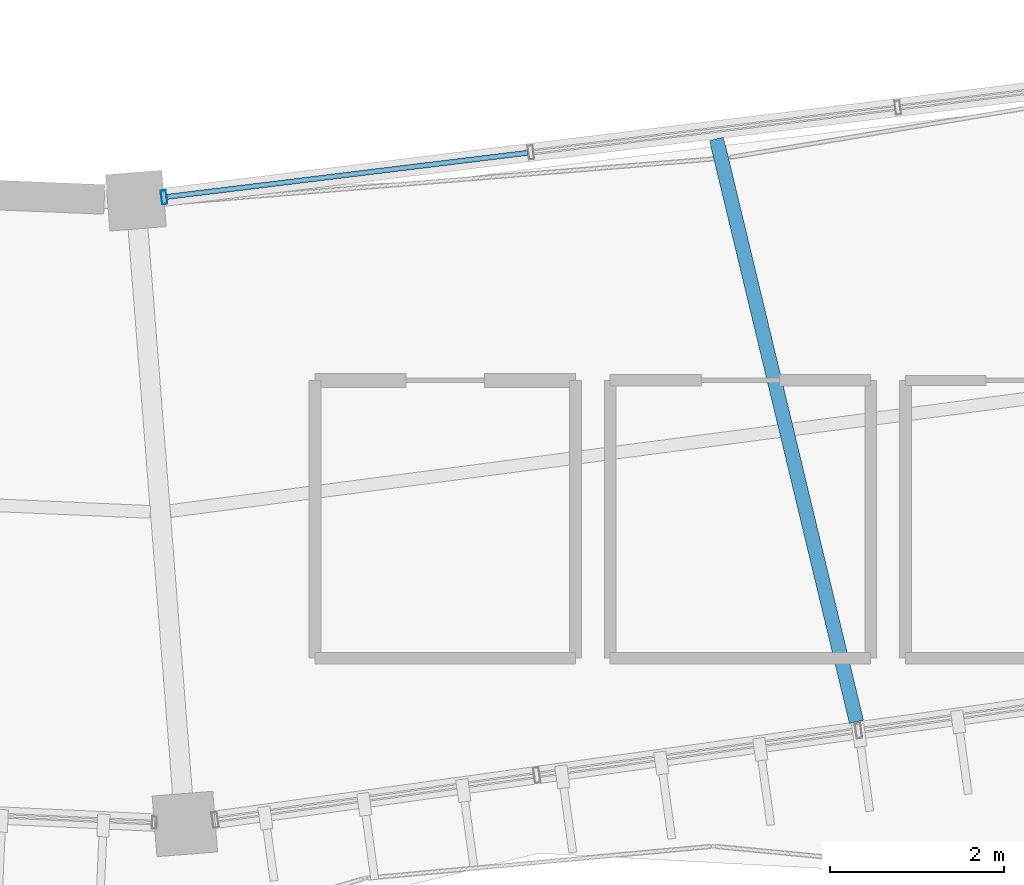
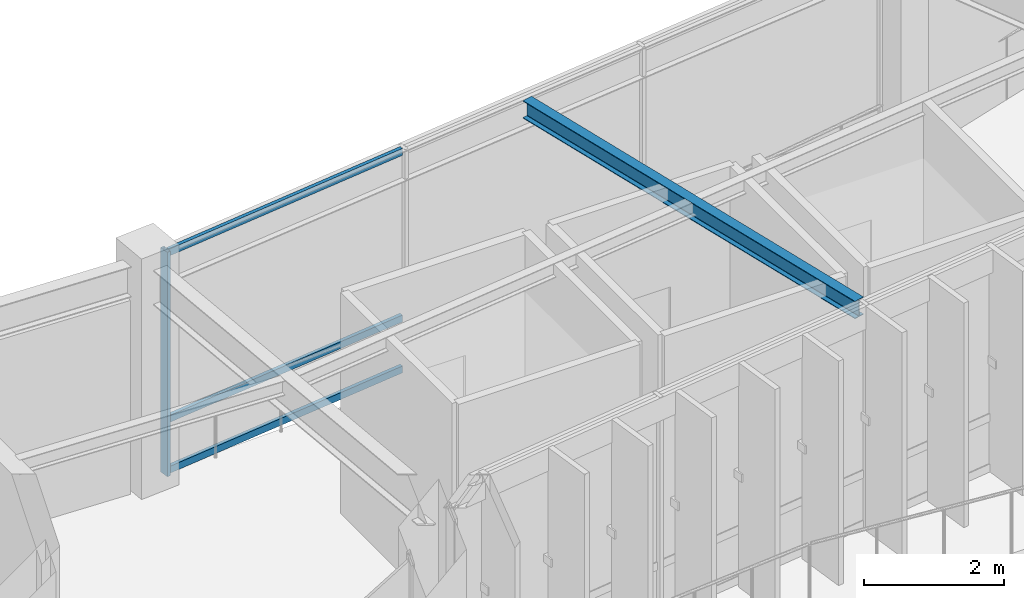
# One storey, part 51 of 138: 4 members, 1 beam, 1 element without a shape of its own.
"""IFC4 building model written with IfcOpenShell, lengths in metres."""

import ifcopenshell
import ifcopenshell.guid

model = None  # the IFC model being written
_history = None  # IfcOwnerHistory: only IFC2X3 demands one
_inside = {}  # id of a spatial element -> (the spatial element, [elements in it])
_under = {}  # id of a project, library or spatial element -> (it, [spatial elements below it])
_declared = {}  # id of a project -> (the project, [libraries it declares])
_typed = {}  # id of a type object -> (the type object, [elements of that type])
_made_of = {}  # id of a material, layer set ... -> (it, [elements and type objects made of it])


def new_model(schema):
    """Start an empty IFC model of exactly this schema.

    Asked for "IFC4X3", IfcOpenShell would pick the latest addendum, in which some entities
    have other attributes; the version numbers below select the first issue.
    IFC2X3 requires an IfcOwnerHistory on every rooted entity: one is made here for all.
    """
    global model, _history
    if schema == "IFC4X3":
        model = ifcopenshell.file(schema_version=(4, 3, 0, 0))
    else:
        model = ifcopenshell.file(schema=schema)
    _inside.clear()
    _under.clear()
    _declared.clear()
    _typed.clear()
    _made_of.clear()
    _history = None
    if model.schema == "IFC2X3":
        org = make("IfcOrganization", Name="unknown")
        user = make(
            "IfcPersonAndOrganization",
            ThePerson=make("IfcPerson", FamilyName="unknown"),
            TheOrganization=org,
        )
        app = make(
            "IfcApplication",
            ApplicationDeveloper=org,
            Version="unknown",
            ApplicationFullName="unknown",
            ApplicationIdentifier="unknown",
        )
        _history = make(
            "IfcOwnerHistory",
            OwningUser=user,
            OwningApplication=app,
            ChangeAction="ADDED",
            CreationDate=0,
        )
    return model


def make(cls, **values):
    """One entity of the class cls with the attributes given. An attribute that is None is left unset."""
    return model.create_entity(
        cls, **{name: value for name, value in values.items() if value is not None}
    )


def rooted(cls, **values):
    """An entity with a GlobalId (a new one), such as an element, a storey or a relation."""
    return make(cls, GlobalId=ifcopenshell.guid.new(), OwnerHistory=_history, **values)


def si_unit(unit_type, name, prefix=None):
    """IfcSIUnit, for example si_unit("LENGTHUNIT", "METRE", prefix="MILLI")."""
    return make("IfcSIUnit", UnitType=unit_type, Prefix=prefix, Name=name)


def assignment(units):
    """IfcUnitAssignment: the units of a project."""
    return None if units is None else make("IfcUnitAssignment", Units=units)


def point(xyz):
    """IfcCartesianPoint."""
    return None if xyz is None else make("IfcCartesianPoint", Coordinates=xyz)


def direction(xyz):
    """IfcDirection."""
    return None if xyz is None else make("IfcDirection", DirectionRatios=xyz)


def frame(location, z_axis=None, x_axis=None):
    """IfcAxis2Placement3D, a coordinate frame: its origin and axes. An axis left out is left unset."""
    return make(
        "IfcAxis2Placement3D",
        Location=point(location),
        Axis=direction(z_axis),
        RefDirection=direction(x_axis),
    )


def frame_2d(location, x_axis=None):
    """IfcAxis2Placement2D, a coordinate frame in the plane: its origin and x axis."""
    return make(
        "IfcAxis2Placement2D", Location=point(location), RefDirection=direction(x_axis)
    )


def origin():
    """The frame at (0, 0, 0) with its axes left unset."""
    return frame((0.0, 0.0, 0.0))


def origin_2d():
    """The frame at (0, 0) in the plane with its x axis left unset."""
    return frame_2d((0.0, 0.0))


def place(relative_to, where):
    """IfcLocalPlacement: puts the frame where relative to a parent placement (None: the world)."""
    return make(
        "IfcLocalPlacement", PlacementRelTo=relative_to, RelativePlacement=where
    )


def context(
    kind, dimensions, precision=None, world=None, true_north=None, identifier=None
):
    """IfcGeometricRepresentationContext, for example the 3D "Model" context."""
    return make(
        "IfcGeometricRepresentationContext",
        ContextIdentifier=identifier,
        ContextType=kind,
        CoordinateSpaceDimension=dimensions,
        Precision=precision,
        WorldCoordinateSystem=world,
        TrueNorth=true_north,
    )


def subcontext(parent, identifier, kind, view, scale=None):
    """IfcGeometricRepresentationSubContext, for example "Body" below "Model"."""
    return make(
        "IfcGeometricRepresentationSubContext",
        ContextIdentifier=identifier,
        ContextType=kind,
        ParentContext=parent,
        TargetScale=scale,
        TargetView=view,
    )


def project(units=None, contexts=None):
    """IfcProject with its units and contexts."""
    return rooted(
        "IfcProject",
        Name="project",
        RepresentationContexts=contexts,
        UnitsInContext=assignment(units),
    )


def spatial(cls, under=None, at=None, **own):
    """A site, building, storey or space (cls), placed at a placement, below another one or the project."""
    s = rooted(cls, ObjectPlacement=at, **own)
    if under is not None:
        _under.setdefault(under.id(), (under, []))[1].append(s)
    return s


def profile(cls, at=None, kind="AREA", **sizes):
    """A parametric profile (cls). Its sizes go by their IFC names, for example OverallWidth=200.0."""
    return make(cls, ProfileType=kind, Position=at, **sizes)


def hollow_rectangle(**sizes):
    """IfcRectangleHollowProfileDef."""
    return profile("IfcRectangleHollowProfileDef", **sizes)


def i_section(**sizes):
    """IfcIShapeProfileDef."""
    return profile("IfcIShapeProfileDef", **sizes)


def extrude(swept, where, along, depth):
    """IfcExtrudedAreaSolid: the profile swept, set in the frame where, extruded along a direction by depth."""
    return make(
        "IfcExtrudedAreaSolid",
        SweptArea=swept,
        Position=where,
        ExtrudedDirection=direction(along),
        Depth=depth,
    )


def shape(context_of_items, identifier, shape_type, items):
    """IfcShapeRepresentation: the items that make up one representation, for example the "Body"."""
    return make(
        "IfcShapeRepresentation",
        ContextOfItems=context_of_items,
        RepresentationIdentifier=identifier,
        RepresentationType=shape_type,
        Items=items,
    )


def material(Name=None, Category=None):
    """IfcMaterial."""
    return make("IfcMaterial", Name=Name, Category=Category)


def material_profile(
    of_material, cross_section, Name=None, Category=None, Priority=None
):
    """IfcMaterialProfile: a cross section and its material."""
    return make(
        "IfcMaterialProfile",
        Name=Name,
        Material=of_material,
        Profile=cross_section,
        Priority=Priority,
        Category=Category,
    )


def profile_set(profiles, Name=None, composite=None):
    """IfcMaterialProfileSet."""
    return make(
        "IfcMaterialProfileSet",
        Name=Name,
        MaterialProfiles=profiles,
        CompositeProfile=composite,
    )


def made_of(thing, what):
    """Note that an element or type object is made of a material, layer set ...; save() writes the relation."""
    if what is not None:
        _made_of.setdefault(what.id(), (what, []))[1].append(thing)
    return thing


def type_object(cls, material=None, **own):
    """A type object (cls), such as IfcWallType, which elements share."""
    return made_of(rooted(cls, **own), material)


def element(
    cls,
    number,
    at=None,
    inside=None,
    cuts=None,
    type_object=None,
    material=None,
    context=None,
    identifier="Body",
    shape_type=None,
    held_by="IfcProductDefinitionShape",
    body=None,
    shapes=None,
    **own,
):
    """One element of the class cls, such as IfcWall. Its Tag is "e" and its number.

    at: its placement. inside: the storey or other place that contains it. cuts: it is an
    opening in that element (IfcRelVoidsElement). A single representation is given by context,
    identifier, shape_type and body (its items); several are given by shapes. held_by: the class
    of the entity that holds the representations. save() writes the other relations.
    """
    e = rooted(cls, Tag="e%d" % number, ObjectPlacement=at, **own)
    if body is not None:
        shapes = [shape(context, identifier, shape_type, body)]
    if shapes is not None:
        e.Representation = make(held_by, Representations=shapes)
    if inside is not None:
        _inside.setdefault(inside.id(), (inside, []))[1].append(e)
    if cuts is not None:
        rooted(
            "IfcRelVoidsElement", RelatingBuildingElement=cuts, RelatedOpeningElement=e
        )
    if type_object is not None:
        _typed.setdefault(type_object.id(), (type_object, []))[1].append(e)
    return made_of(e, material)


def aggregate(whole, parts):
    """IfcRelAggregates: a whole, such as a stair, and the parts it consists of."""
    return rooted("IfcRelAggregates", RelatingObject=whole, RelatedObjects=parts)


def save(model, path):
    """Write the relations noted so far, then the file.

    IfcRelAggregates (storeys below a building ...), IfcRelContainedInSpatialStructure (elements
    in a storey), IfcRelDefinesByType, IfcRelAssociatesMaterial and IfcRelDeclares: one each for
    every whole, place, type object, material and project.
    """
    for whole, parts in _under.values():
        aggregate(whole, parts)
    for where, things in _inside.values():
        rooted(
            "IfcRelContainedInSpatialStructure",
            RelatedElements=things,
            RelatingStructure=where,
        )
    for kind, things in _typed.values():
        rooted("IfcRelDefinesByType", RelatedObjects=things, RelatingType=kind)
    for what, things in _made_of.values():
        rooted("IfcRelAssociatesMaterial", RelatedObjects=things, RelatingMaterial=what)
    for by, libraries in _declared.values():
        rooted("IfcRelDeclares", RelatingContext=by, RelatedDefinitions=libraries)
    model.write(path)


model = new_model("IFC4")

# Units and contexts
model_context = context("Model", 3, precision=1e-05, world=origin(), true_north=direction((0.0, 1.0)))
body_context = subcontext(model_context, "Body", "Model", "MODEL_VIEW")
ifc_project = project(units=[si_unit("LENGTHUNIT", "METRE"), si_unit("AREAUNIT", "SQUARE_METRE"), si_unit("VOLUMEUNIT", "CUBIC_METRE"), si_unit("PLANEANGLEUNIT", "RADIAN"), si_unit("MASSUNIT", "GRAM", prefix="KILO"), si_unit("THERMODYNAMICTEMPERATUREUNIT", "KELVIN"), si_unit("POWERUNIT", "WATT")], contexts=[model_context])

# Site, building, storey
site_placement = place(None, origin())
site = spatial("IfcSite", under=ifc_project, at=site_placement, CompositionType="ELEMENT")
building_placement = place(site_placement, origin())
building = spatial("IfcBuilding", under=site, at=building_placement, Name="Darbajah Civic Hall", CompositionType="ELEMENT")
storey_placement = place(building_placement, frame((0.0, 0.0, 9.60009765625)))
storey = spatial("IfcBuildingStorey", under=building, at=storey_placement, Name="L02", CompositionType="ELEMENT", Elevation=9.60009765625)

# Curtain wall, members
ifc_material_1 = material(Name="Anodised Bronze Aluminium and Low-E Glazing", Category="aluminium")
curtain_wall_type = type_object("IfcCurtainWallType", Name="Unitised Curtain Wall CW-50 12800x3900", PredefinedType="USERDEFINED", material=ifc_material_1)
curtain_wall_placement = place(storey_placement, origin())
curtain_wall = element("IfcCurtainWall", 1, at=curtain_wall_placement, inside=storey, type_object=curtain_wall_type, Name="L02 unitised curtain wall CW-V1I-L02-15", ObjectType="UNITISED CURTAIN WALL", PredefinedType="USERDEFINED")
ifc_material_2 = material(Name="Anodised Bronze Aluminium", Category="aluminium")
ifc_material_profile_1 = material_profile(ifc_material_2, hollow_rectangle(XDim=0.06005859375, YDim=0.159912109375, WallThickness=0.00341796875, at=origin_2d()), Name="ALU MULLION 60x160")
ifc_profile_set_1 = profile_set([ifc_material_profile_1], Name="Anodised Bronze Aluminium")
member_type_1 = type_object("IfcMemberType", Name="ALU MULLION 60x160", PredefinedType="MULLION", material=ifc_profile_set_1)
member_1_placement = place(storey_placement, frame((92.861083984375, 67.6083984375, 0.0), z_axis=(0.0, 0.0, 1.0), x_axis=(0.992609826221, 0.121349630774, 0.0)))
member_1 = element("IfcMember", 2, at=member_1_placement, type_object=member_type_1, Name="CW-V1I-L02-15 mullion 1", PredefinedType="MULLION", context=body_context, shape_type="SweptSolid", body=[
    extrude(hollow_rectangle(XDim=0.06005859375, YDim=0.159912109375, WallThickness=0.00341796875, at=origin_2d()), origin(), (0.0, 0.0, 1.0), 3.919921875),
])
ifc_material_profile_2 = material_profile(ifc_material_2, hollow_rectangle(XDim=0.06005859375, YDim=0.1201171875, WallThickness=0.003173828125, at=origin_2d()), Name="ALU TRANSOM 60x120")
ifc_profile_set_2 = profile_set([ifc_material_profile_2], Name="Anodised Bronze Aluminium")
member_type_2 = type_object("IfcMemberType", Name="ALU TRANSOM 60x120", PredefinedType="USERDEFINED", material=ifc_profile_set_2)
member_2_placement = place(storey_placement, frame((92.895751953125, 67.612548828125, 0.059814453125), z_axis=(0.992609772205, 0.12135007261, 0.0), x_axis=(-0.12135007261, 0.992609772205, 0.0)))
member_2 = element("IfcMember", 3, at=member_2_placement, type_object=member_type_2, Name="CW-V1I-L02-15 transom 1.1", ObjectType="TRANSOM", PredefinedType="USERDEFINED", context=body_context, shape_type="SweptSolid", body=[
    extrude(hollow_rectangle(XDim=0.06005859375, YDim=0.1201171875, WallThickness=0.003173828125, at=origin_2d()), origin(), (0.0, 0.0, 1.0), 4.186767578125),
])
member_3_placement = place(storey_placement, frame((92.895751953125, 67.612548828125, 0.949951171875), z_axis=(0.992609772205, 0.12135007261, 0.0), x_axis=(-0.12135007261, 0.992609772205, 0.0)))
member_3 = element("IfcMember", 4, at=member_3_placement, type_object=member_type_2, Name="CW-V1I-L02-15 transom 1.2", ObjectType="TRANSOM", PredefinedType="USERDEFINED", context=body_context, shape_type="SweptSolid", body=[
    extrude(hollow_rectangle(XDim=0.06005859375, YDim=0.1201171875, WallThickness=0.003173828125, at=origin_2d()), origin(), (0.0, 0.0, 1.0), 4.186767578125),
])
member_4_placement = place(storey_placement, frame((92.895751953125, 67.612548828125, 3.85986328125), z_axis=(0.992609772205, 0.12135007261, 0.0), x_axis=(-0.12135007261, 0.992609772205, 0.0)))
member_4 = element("IfcMember", 5, at=member_4_placement, type_object=member_type_2, Name="CW-V1I-L02-15 transom 1.3", ObjectType="TRANSOM", PredefinedType="USERDEFINED", context=body_context, shape_type="SweptSolid", body=[
    extrude(hollow_rectangle(XDim=0.06005859375, YDim=0.1201171875, WallThickness=0.003173828125, at=origin_2d()), origin(), (0.0, 0.0, 1.0), 4.186767578125),
])
aggregate(curtain_wall, [member_1, member_2, member_3, member_4])

# Beam
ifc_material_3 = material(Name="Steel S355JR", Category="steel")
ifc_material_profile_3 = material_profile(ifc_material_3, i_section(OverallWidth=0.165771484375, OverallDepth=0.306640625, WebThickness=0.006591796875, FlangeThickness=0.01171875, FilletRadius=0.0087890625, at=origin_2d()), Name="UB 305x165x46")
ifc_profile_set_3 = profile_set([ifc_material_profile_3], Name="Steel S355JR")
beam_type = type_object("IfcBeamType", Name="UB 305x165x46", PredefinedType="JOIST", material=ifc_profile_set_3)
beam_placement = place(storey_placement, frame((99.2236328125, 68.280029296875, 3.7666015625), z_axis=(0.233446518106, -0.972369643286, 0.0), x_axis=(0.972369643286, 0.233446518106, 0.0)))
element("IfcBeam", 6, at=beam_placement, inside=storey, type_object=beam_type, Name="L02 beam SJ-305", PredefinedType="JOIST", context=body_context, shape_type="SweptSolid", body=[
    extrude(i_section(OverallWidth=0.165771484375, OverallDepth=0.306640625, WebThickness=0.006591796875, FlangeThickness=0.01171875, FilletRadius=0.0087890625, at=origin_2d()), origin(), (0.0, 0.0, 1.0), 6.9033203125),
])

save(model, "model.ifc")
